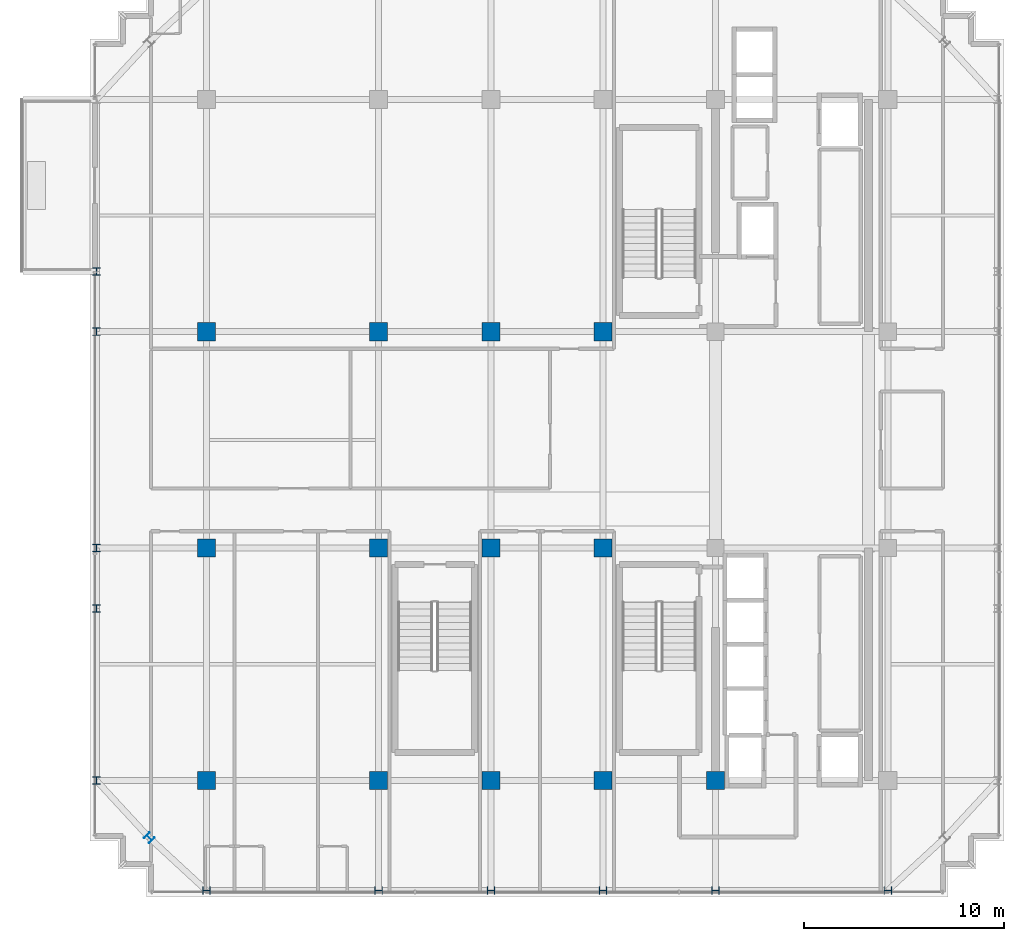
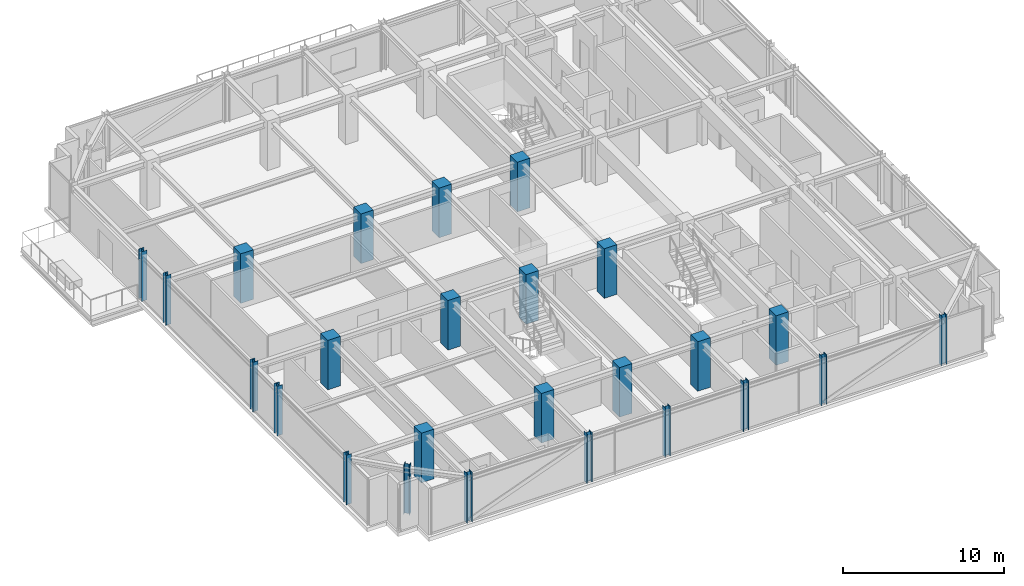
# One storey, part 1 of 36: 25 columns.
"""IFC4 building model written with IfcOpenShell, lengths in metres."""

from ifc_helpers import new_model, si_unit, direction, frame, origin, origin_2d, place, context, subcontext, project, spatial, rectangle, i_section, extrude, source, transform, mapped, material, material_profile, profile_set, type_object, element, save


model = new_model("IFC4")

# Units and contexts
model_context = context("Model", 3, precision=1e-05, world=origin(), true_north=direction((0.0, 1.0)))
body_context = subcontext(model_context, "Body", "Model", "MODEL_VIEW")
ifc_project = project(units=[si_unit("LENGTHUNIT", "METRE"), si_unit("AREAUNIT", "SQUARE_METRE"), si_unit("VOLUMEUNIT", "CUBIC_METRE"), si_unit("PLANEANGLEUNIT", "RADIAN"), si_unit("MASSUNIT", "GRAM", prefix="KILO")], contexts=[model_context])

# Site, building, storey
site_placement = place(None, origin())
site = spatial("IfcSite", under=ifc_project, at=site_placement, CompositionType="ELEMENT")
building_placement = place(site_placement, origin())
building = spatial("IfcBuilding", under=site, at=building_placement, Name="Nahalor Promenade Grand Hotel", CompositionType="ELEMENT")
storey_placement = place(building_placement, frame((0.0, 0.0, 319.550048828125)))
storey = spatial("IfcBuildingStorey", under=building, at=storey_placement, Name="L82", CompositionType="ELEMENT", Elevation=319.550048828125)

# Columns
ifc_material_1 = material(Name="Concrete B-50 (C40/50)", Category="concrete")
ifc_material_profile_1 = material_profile(ifc_material_1, rectangle(XDim=0.9, YDim=0.9, at=origin_2d()), Name="RC 900x900")
ifc_profile_set_1 = profile_set([ifc_material_profile_1], Name="Concrete B-50 (C40/50)")
column_type_1 = type_object("IfcColumnType", Name="Col-RC-900", PredefinedType="COLUMN", material=ifc_profile_set_1)
shared_shape_1 = source(origin(), body_context, "Body", "SweptSolid", [
    extrude(rectangle(XDim=0.9, YDim=0.9, at=origin_2d()), origin(), (0.0, 0.0, 1.0), 3.7548828125),
])
for number, where, z_axis, x_axis, name in (
    (1, (-17.0, -17.0, 0.0), (0.0, 0.0, 1.0), (1.0, 0.0, 0.0), "COL-L82-I00"),
    (2, (-17.0, -5.39990234375, 0.0), (0.0, 0.0, 1.0), (1.0, 0.0, 0.0), "COL-L82-I01"),
    (3, (-17.0, 5.39990234375, 0.0), (0.0, 0.0, 1.0), (1.0, 0.0, 0.0), "COL-L82-I02"),
    (4, (-8.39990234375, -17.0, 0.0), (0.0, 0.0, 1.0), (1.0, 0.0, 0.0), "COL-L82-I10"),
    (5, (-8.39990234375, -5.39990234375, 0.0), (0.0, 0.0, 1.0), (1.0, 0.0, 0.0), "COL-L82-I11"),
    (6, (-8.39990234375, 5.39990234375, 0.0), (0.0, 0.0, 1.0), (1.0, 0.0, 0.0), "COL-L82-I12"),
    (7, (-2.800048828125, -17.0, 0.0), (0.0, 0.0, 1.0), (1.0, 0.0, 0.0), "COL-L82-I20"),
    (8, (-2.800048828125, -5.39990234375, 0.0), (0.0, 0.0, 1.0), (1.0, 0.0, 0.0), "COL-L82-I21"),
    (9, (-2.800048828125, 5.39990234375, 0.0), (0.0, 0.0, 1.0), (1.0, 0.0, 0.0), "COL-L82-I22"),
    (10, (2.800048828125, -17.0, 0.0), (0.0, 0.0, 1.0), (1.0, 0.0, 0.0), "COL-L82-I30"),
    (11, (2.800048828125, -5.39990234375, 0.0), (0.0, 0.0, 1.0), (1.0, 0.0, 0.0), "COL-L82-I31"),
    (12, (2.800048828125, 5.39990234375, 0.0), (0.0, 0.0, 1.0), (1.0, 0.0, 0.0), "COL-L82-I32"),
    (13, (8.39990234375, -17.0, 0.0), (0.0, 0.0, 1.0), (1.0, 0.0, 0.0), "COL-L82-I40"),
):
    element("IfcColumn", number, at=place(storey_placement, frame(where, z_axis=z_axis, x_axis=x_axis)), inside=storey, type_object=column_type_1, Name=name, PredefinedType="COLUMN", context=body_context, shape_type="MappedRepresentation", body=[
        mapped(shared_shape_1, transform((0.0, 0.0, 0.0), scale=1.0)),
    ])
ifc_material_2 = material(Name="Steel S355JR", Category="steel")
ifc_material_profile_2 = material_profile(ifc_material_2, i_section(OverallWidth=0.374, OverallDepth=0.374, WebThickness=0.0144, FlangeThickness=0.0229, at=origin_2d()), Name="HD 360x262")
ifc_profile_set_2 = profile_set([ifc_material_profile_2], Name="Steel S355JR")
column_type_2 = type_object("IfcColumnType", Name="Col-Steel-HD262", PredefinedType="COLUMN", material=ifc_profile_set_2)
shared_shape_2 = source(origin(), body_context, "Body", "SweptSolid", [
    extrude(i_section(OverallWidth=0.374, OverallDepth=0.374, WebThickness=0.0144, FlangeThickness=0.0229, at=origin_2d()), origin(), (0.0, 0.0, 1.0), 3.7548828125),
])
for number, where, z_axis, x_axis, name in (
    (14, (-22.47998046875, -17.0, 0.0), (0.0, 0.0, 1.0), (1.0, 0.0, 0.0), "COL-L82-PW-W0"),
    (15, (-22.47998046875, -8.39990234375, 0.0), (0.0, 0.0, 1.0), (1.0, 0.0, 0.0), "COL-L82-PW-W1"),
    (16, (-22.47998046875, -5.39990234375, 0.0), (0.0, 0.0, 1.0), (1.0, 0.0, 0.0), "COL-L82-PW-W2"),
    (17, (-22.47998046875, 5.39990234375, 0.0), (0.0, 0.0, 1.0), (1.0, 0.0, 0.0), "COL-L82-PW-W3"),
    (18, (-22.47998046875, 8.39990234375, 0.0), (0.0, 0.0, 1.0), (1.0, 0.0, 0.0), "COL-L82-PW-W4"),
    (19, (-17.0, -22.47998046875, 0.0), (0.0, 0.0, 1.0), (0.0, 1.0, 0.0), "COL-L82-PN-S0"),
    (20, (-8.39990234375, -22.47998046875, 0.0), (0.0, 0.0, 1.0), (0.0, 1.0, 0.0), "COL-L82-PN-S1"),
    (21, (-2.800048828125, -22.47998046875, 0.0), (0.0, 0.0, 1.0), (0.0, 1.0, 0.0), "COL-L82-PN-S2"),
    (22, (2.800048828125, -22.47998046875, 0.0), (0.0, 0.0, 1.0), (0.0, 1.0, 0.0), "COL-L82-PN-S3"),
    (23, (8.39990234375, -22.47998046875, 0.0), (0.0, 0.0, 1.0), (0.0, 1.0, 0.0), "COL-L82-PN-S4"),
    (24, (17.0, -22.47998046875, 0.0), (0.0, 0.0, 1.0), (0.0, 1.0, 0.0), "COL-L82-PN-S5"),
    (25, (-19.85009765625, -19.85009765625, 0.0), (0.0, 0.0, 1.0), (0.707106781187, 0.707106781187, 0.0), "COL-L82-CRN-SW"),
):
    element("IfcColumn", number, at=place(storey_placement, frame(where, z_axis=z_axis, x_axis=x_axis)), inside=storey, type_object=column_type_2, Name=name, PredefinedType="COLUMN", context=body_context, shape_type="MappedRepresentation", body=[
        mapped(shared_shape_2, transform((0.0, 0.0, 0.0), scale=1.0)),
    ])

save(model, "model.ifc")
